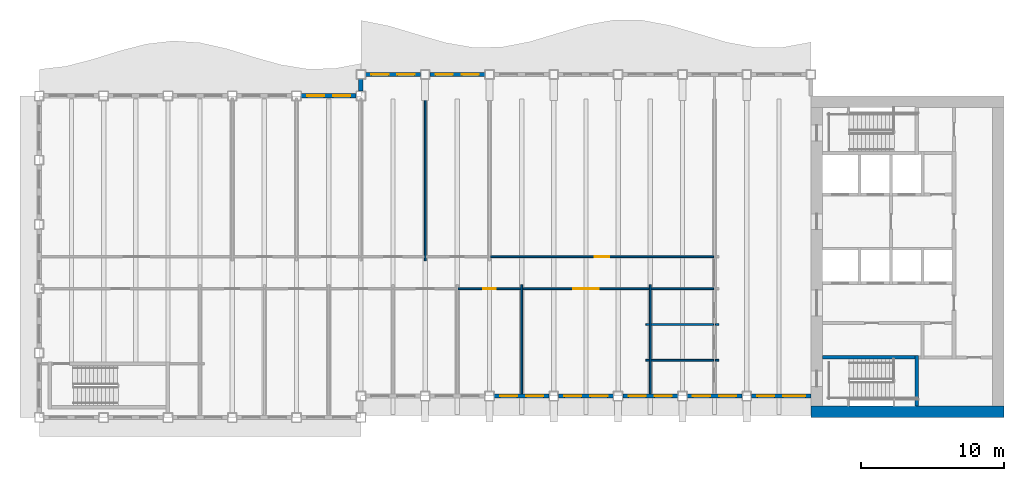
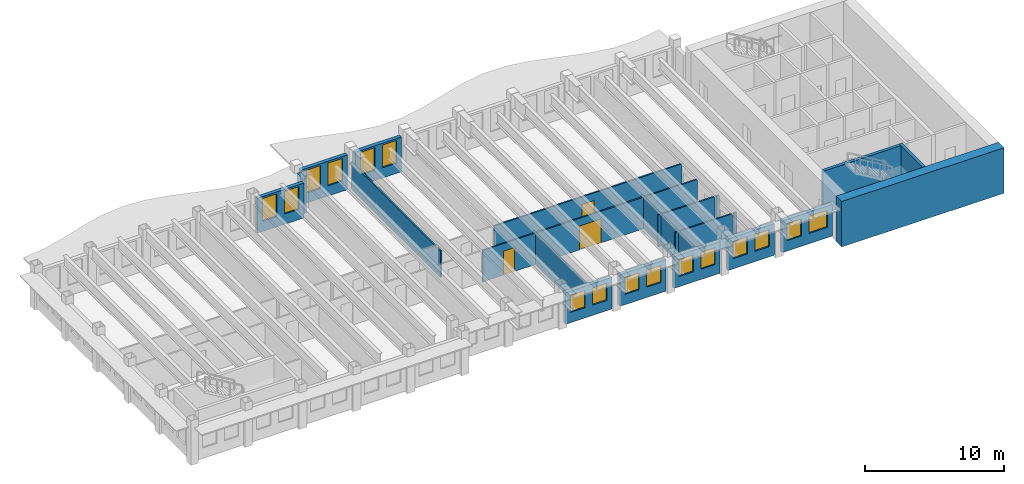
# One storey, part 4 of 12: 25 walls, 16 windows, 3 doors, 19 openings.
"""IFC4 building model written with IfcOpenShell, lengths in metres."""

from ifc_helpers import new_model, si_unit, direction, frame, frame_2d, origin, place, context, subcontext, project, spatial, rectangle, extrude, material, layer, layer_set, type_object, element, fill, save


model = new_model("IFC4")

# Units and contexts
model_context = context("Model", 3, precision=1e-05, world=origin(), true_north=direction((0.0, 1.0)))
body_context = subcontext(model_context, "Body", "Model", "MODEL_VIEW")
ifc_project = project(units=[si_unit("LENGTHUNIT", "METRE"), si_unit("AREAUNIT", "SQUARE_METRE"), si_unit("VOLUMEUNIT", "CUBIC_METRE"), si_unit("PLANEANGLEUNIT", "RADIAN"), si_unit("MASSUNIT", "GRAM", prefix="KILO")], contexts=[model_context])

# Site, building, storey
site_placement = place(None, origin())
site = spatial("IfcSite", under=ifc_project, at=site_placement, CompositionType="ELEMENT")
building_placement = place(site_placement, origin())
building = spatial("IfcBuilding", under=site, at=building_placement, Name="Sennacour Bend Tower", CompositionType="ELEMENT")
storey_placement = place(building_placement, frame((0.0, 0.0, 293.0)))
storey = spatial("IfcBuildingStorey", under=building, at=storey_placement, Name="L68", CompositionType="ELEMENT", Elevation=293.0)

# Walls
ifc_material_1 = material(Name="Concrete C50/60", Category="concrete")
ifc_layer_1 = layer(ifc_material_1, 0.800048828125, Name="Concrete C50/60", Category="concrete")
ifc_layer_set_1 = layer_set([ifc_layer_1], Name="Concrete C50/60")
wall_type_1 = type_object("IfcWallType", Name="Core wall 800 C50/60", PredefinedType="SHEAR", material=ifc_layer_set_1)
wall_1_placement = place(storey_placement, frame((67.5, 0.39990234375, -0.14990234375), z_axis=(0.0, 0.0, 1.0), x_axis=(-1.0, 0.0, 0.0)))
element("IfcWall", 1, at=wall_1_placement, inside=storey, type_object=wall_type_1, Name="Core A wall L68 S", PredefinedType="SHEAR", context=body_context, shape_type="SweptSolid", body=[
    extrude(rectangle(XDim=13.5, YDim=0.800048828125, at=frame_2d((6.75, 0.0))), origin(), (0.0, 0.0, 1.0), 4.0),
])
ifc_material_2 = material(Name="Plasterboard partition on steel studs", Category="steel")
ifc_layer_2 = layer(ifc_material_2, 0.1201171875, Name="Plasterboard partition on steel studs", Category="steel")
ifc_layer_set_2 = layer_set([ifc_layer_2], Name="Plasterboard partition on steel studs")
wall_type_2 = type_object("IfcWallType", Name="Partition 120", PredefinedType="PARTITIONING", material=ifc_layer_set_2)
wall_2_placement = place(storey_placement, frame((27.0, 10.949951171875, 0.0), z_axis=(0.0, 0.0, 1.0), x_axis=(0.0, 1.0, 0.0)))
element("IfcWall", 2, at=wall_2_placement, inside=storey, type_object=wall_type_2, Name="P-L68-W011a", PredefinedType="PARTITIONING", context=body_context, shape_type="SweptSolid", body=[
    extrude(rectangle(XDim=12.900146484375, YDim=0.1201171875, at=frame_2d((6.4501953125, 0.0))), origin(), (0.0, 0.0, 1.0), 2.35009765625),
])
for number, where, z_axis, x_axis, name in (
    (3, (33.75, 1.64990234375, 0.0), (0.0, 0.0, 1.0), (0.0, 1.0, 0.0), "P-L68-W014a"),
    (4, (42.75, 1.64990234375, 0.0), (0.0, 0.0, 1.0), (0.0, 1.0, 0.0), "P-L68-W015a"),
):
    element("IfcWall", number, at=place(storey_placement, frame(where, z_axis=z_axis, x_axis=x_axis)), inside=storey, type_object=wall_type_2, Name=name, PredefinedType="PARTITIONING", context=body_context, shape_type="SweptSolid", body=[
        extrude(rectangle(XDim=7.650146484375, YDim=0.1201171875, at=frame_2d((3.8251953125, 0.0))), origin(), (0.0, 0.0, 1.0), 2.77001953125),
    ])
wall_3_placement = place(storey_placement, frame((42.449951171875, 4.0, 0.0), z_axis=(0.0, 0.0, 1.0), x_axis=(1.0, 0.0, 0.0)))
element("IfcWall", 5, at=wall_3_placement, inside=storey, type_object=wall_type_2, Name="P-L68-W036aa", PredefinedType="PARTITIONING", context=body_context, shape_type="SweptSolid", body=[
    extrude(rectangle(XDim=0.239990234375, YDim=0.1201171875, at=frame_2d((0.1201171875, 0.0))), origin(), (0.0, 0.0, 1.0), 2.77001953125),
])
wall_4_placement = place(storey_placement, frame((42.81005859375, 4.0, 0.0), z_axis=(0.0, 0.0, 1.0), x_axis=(1.0, 0.0, 0.0)))
element("IfcWall", 6, at=wall_4_placement, inside=storey, type_object=wall_type_2, Name="P-L68-W036ab", PredefinedType="PARTITIONING", context=body_context, shape_type="SweptSolid", body=[
    extrude(rectangle(XDim=4.3798828125, YDim=0.1201171875, at=frame_2d((2.18994140625, 0.0))), origin(), (0.0, 0.0, 1.0), 2.77001953125),
])
for number, where, z_axis, x_axis, name in (
    (7, (47.31005859375, 4.0, 0.0), (0.0, 0.0, 1.0), (1.0, 0.0, 0.0), "P-L68-W036ac"),
    (8, (42.449951171875, 6.5, 0.0), (0.0, 0.0, 1.0), (1.0, 0.0, 0.0), "P-L68-W039aa"),
):
    element("IfcWall", number, at=place(storey_placement, frame(where, z_axis=z_axis, x_axis=x_axis)), inside=storey, type_object=wall_type_2, Name=name, PredefinedType="PARTITIONING", context=body_context, shape_type="SweptSolid", body=[
        extrude(rectangle(XDim=0.239990234375, YDim=0.1201171875, at=frame_2d((0.1201171875, 0.0))), origin(), (0.0, 0.0, 1.0), 2.77001953125),
    ])
wall_5_placement = place(storey_placement, frame((42.81005859375, 6.5, 0.0), z_axis=(0.0, 0.0, 1.0), x_axis=(1.0, 0.0, 0.0)))
element("IfcWall", 9, at=wall_5_placement, inside=storey, type_object=wall_type_2, Name="P-L68-W039ab", PredefinedType="PARTITIONING", context=body_context, shape_type="SweptSolid", body=[
    extrude(rectangle(XDim=4.3798828125, YDim=0.1201171875, at=frame_2d((2.18994140625, 0.0))), origin(), (0.0, 0.0, 1.0), 2.77001953125),
])
wall_6_placement = place(storey_placement, frame((47.31005859375, 6.5, 0.0), z_axis=(0.0, 0.0, 1.0), x_axis=(1.0, 0.0, 0.0)))
element("IfcWall", 10, at=wall_6_placement, inside=storey, type_object=wall_type_2, Name="P-L68-W039ac", PredefinedType="PARTITIONING", context=body_context, shape_type="SweptSolid", body=[
    extrude(rectangle(XDim=0.239990234375, YDim=0.1201171875, at=frame_2d((0.1201171875, 0.0))), origin(), (0.0, 0.0, 1.0), 2.77001953125),
])

# Wall, opening, door
wall_7_placement = place(storey_placement, frame((33.81005859375, 9.0, 0.0), z_axis=(0.0, 0.0, 1.0), x_axis=(1.0, 0.0, 0.0)))
wall_7 = element("IfcWall", 11, at=wall_7_placement, inside=storey, type_object=wall_type_2, Name="P-L68-W041ag", PredefinedType="PARTITIONING", context=body_context, shape_type="SweptSolid", body=[
    extrude(rectangle(XDim=8.8798828125, YDim=0.1201171875, at=frame_2d((4.43994140625, 0.0))), origin(), (0.0, 0.0, 1.0), 2.77001953125),
])
opening_1_placement = place(wall_7_placement, frame((3.539794921875, 0.0, 0.0)))
opening_1 = element("IfcOpeningElement", 12, at=opening_1_placement, cuts=wall_7, Name="Opening OD3", PredefinedType="OPENING", context=body_context, shape_type="SweptSolid", body=[
    extrude(rectangle(XDim=1.800048828125, YDim=2.10009765625, at=frame_2d((0.89990234375, 1.050048828125))), frame((0.0, 0.070068359375, 0.0), z_axis=(0.0, -1.0, 0.0), x_axis=(1.0, 0.0, 0.0)), (0.0, 0.0, 1.0), 0.14013671875),
])
ifc_material_3 = material(Name="Timber", Category="wood")
door_type_1 = type_object("IfcDoorType", Name="DR-OFFICE-1800", OperationType="NOTDEFINED", PredefinedType="DOOR", material=ifc_material_3)
door_1_placement = place(opening_1_placement, origin())
door_1 = element("IfcDoor", 13, at=door_1_placement, inside=storey, type_object=door_type_1, Name="Door", OperationType="DOUBLE_DOOR_SINGLE_SWING", OverallHeight=2.10009765625, OverallWidth=1.800048828125, PredefinedType="DOOR", context=body_context, shape_type="SweptSolid", body=[
    extrude(rectangle(XDim=1.800048828125, YDim=2.10009765625, at=frame_2d((0.89990234375, 1.050048828125))), frame((0.0, 0.02490234375, 0.0), z_axis=(0.0, -1.0, 0.0), x_axis=(1.0, 0.0, 0.0)), (0.0, 0.0, 1.0), 0.050048828125),
])
fill(opening_1, door_1)

# Wall
wall_8_placement = place(storey_placement, frame((42.81005859375, 9.0, 0.0), z_axis=(0.0, 0.0, 1.0), x_axis=(1.0, 0.0, 0.0)))
element("IfcWall", 14, at=wall_8_placement, inside=storey, type_object=wall_type_2, Name="P-L68-W041ah", PredefinedType="PARTITIONING", context=body_context, shape_type="SweptSolid", body=[
    extrude(rectangle(XDim=4.3798828125, YDim=0.1201171875, at=frame_2d((2.18994140625, 0.0))), origin(), (0.0, 0.0, 1.0), 2.77001953125),
])

# Wall, opening, door
wall_9_placement = place(storey_placement, frame((31.56005859375, 11.25, 0.0), z_axis=(0.0, 0.0, 1.0), x_axis=(1.0, 0.0, 0.0)))
wall_9 = element("IfcWall", 15, at=wall_9_placement, inside=storey, type_object=wall_type_2, Name="P-L68-W043af", PredefinedType="PARTITIONING", context=body_context, shape_type="SweptSolid", body=[
    extrude(rectangle(XDim=15.6298828125, YDim=0.1201171875, at=frame_2d((7.81494140625, 0.0))), origin(), (0.0, 0.0, 1.0), 2.77001953125),
])
opening_2_placement = place(wall_9_placement, frame((7.31494140625, 0.0, 0.0)))
opening_2 = element("IfcOpeningElement", 16, at=opening_2_placement, cuts=wall_9, Name="Opening OD2", PredefinedType="OPENING", context=body_context, shape_type="SweptSolid", body=[
    extrude(rectangle(XDim=1.0, YDim=2.10009765625, at=frame_2d((0.5, 1.050048828125))), frame((0.0, 0.070068359375, 0.0), z_axis=(0.0, -1.0, 0.0), x_axis=(1.0, 0.0, 0.0)), (0.0, 0.0, 1.0), 0.14013671875),
])
door_type_2 = type_object("IfcDoorType", Name="DR-OFFICE-1000", OperationType="NOTDEFINED", PredefinedType="DOOR", material=ifc_material_3)
door_2_placement = place(opening_2_placement, origin())
door_2 = element("IfcDoor", 17, at=door_2_placement, inside=storey, type_object=door_type_2, Name="Door", OperationType="SINGLE_SWING_LEFT", OverallHeight=2.10009765625, OverallWidth=1.0, PredefinedType="DOOR", context=body_context, shape_type="SweptSolid", body=[
    extrude(rectangle(XDim=1.0, YDim=2.10009765625, at=frame_2d((0.5, 1.050048828125))), frame((0.0, 0.02490234375, 0.0), z_axis=(0.0, -1.0, 0.0), x_axis=(1.0, 0.0, 0.0)), (0.0, 0.0, 1.0), 0.050048828125),
])
fill(opening_2, door_2)

ifc_layer_3 = layer(ifc_material_2, 0.1201171875, Name="Plasterboard partition on steel studs", Category="steel")
ifc_layer_set_3 = layer_set([ifc_layer_3], Name="Plasterboard partition on steel studs")
wall_type_3 = type_object("IfcWallType", Name="Partition 120 EI 60", PredefinedType="PARTITIONING", material=ifc_layer_set_3)
wall_10_placement = place(storey_placement, frame((29.31005859375, 9.0, 0.0), z_axis=(0.0, 0.0, 1.0), x_axis=(1.0, 0.0, 0.0)))
wall_10 = element("IfcWall", 18, at=wall_10_placement, inside=storey, type_object=wall_type_3, Name="P-L68-W041af", PredefinedType="PARTITIONING", context=body_context, shape_type="SweptSolid", body=[
    extrude(rectangle(XDim=4.3798828125, YDim=0.1201171875, at=frame_2d((2.18994140625, 0.0))), origin(), (0.0, 0.0, 1.0), 2.77001953125),
])
opening_3_placement = place(wall_10_placement, frame((1.739990234375, 0.0, 0.0)))
opening_3 = element("IfcOpeningElement", 19, at=opening_3_placement, cuts=wall_10, Name="Opening SV", PredefinedType="OPENING", context=body_context, shape_type="SweptSolid", body=[
    extrude(rectangle(XDim=0.89990234375, YDim=2.10009765625, at=frame_2d((0.449951171875, 1.050048828125))), frame((0.0, 0.070068359375, 0.0), z_axis=(0.0, -1.0, 0.0), x_axis=(1.0, 0.0, 0.0)), (0.0, 0.0, 1.0), 0.14013671875),
])
ifc_material_4 = material(Name="Painted steel", Category="steel")
door_type_3 = type_object("IfcDoorType", Name="DR-SERVICE-900", OperationType="NOTDEFINED", PredefinedType="DOOR", material=ifc_material_4)
door_3_placement = place(opening_3_placement, origin())
door_3 = element("IfcDoor", 20, at=door_3_placement, inside=storey, type_object=door_type_3, Name="Door", OperationType="SINGLE_SWING_LEFT", OverallHeight=2.10009765625, OverallWidth=0.89990234375, PredefinedType="DOOR", context=body_context, shape_type="SweptSolid", body=[
    extrude(rectangle(XDim=0.89990234375, YDim=2.10009765625, at=frame_2d((0.449951171875, 1.050048828125))), frame((0.0, 0.02490234375, 0.0), z_axis=(0.0, -1.0, 0.0), x_axis=(1.0, 0.0, 0.0)), (0.0, 0.0, 1.0), 0.050048828125),
])
fill(opening_3, door_3)

# Wall, openings, windows
ifc_material_5 = material(Name="Warm limestone cladding", Category="masonry")
ifc_layer_4 = layer(ifc_material_5, 0.050048828125, Name="Warm limestone cladding", Category="masonry")
ifc_material_6 = material(Name="Precast concrete C40/50", Category="concrete")
ifc_layer_5 = layer(ifc_material_6, 0.25, Name="Precast concrete C40/50", Category="concrete")
ifc_layer_set_4 = layer_set([ifc_layer_4, ifc_layer_5], Name="Precast concrete C40/50 with limestone cladding")
wall_type_4 = type_object("IfcWallType", Name="STONE-CLAD PRECAST SPANDREL 300", PredefinedType="STANDARD", material=ifc_layer_set_4)
wall_11_placement = place(storey_placement, frame((31.824951171875, 1.5, 0.0), z_axis=(0.0, 0.0, 1.0), x_axis=(1.0, 0.0, 0.0)))
wall_11 = element("IfcWall", 21, at=wall_11_placement, inside=storey, type_object=wall_type_4, Name="Stone spandrel and pier wall L68 01.02", PredefinedType="STANDARD", context=body_context, shape_type="SweptSolid", body=[
    extrude(rectangle(XDim=3.85009765625, YDim=0.300048828125, at=frame_2d((1.925048828125, 0.0))), origin(), (0.0, 0.0, 1.0), 2.77001953125),
])
opening_4_placement = place(wall_11_placement, frame((0.41259765625, 0.0, 0.89990234375)))
opening_4 = element("IfcOpeningElement", 22, at=opening_4_placement, cuts=wall_11, Name="Opening W25", PredefinedType="OPENING", context=body_context, shape_type="SweptSolid", body=[
    extrude(rectangle(XDim=1.199951171875, YDim=1.5, at=frame_2d((0.60009765625, 0.75))), frame((0.0, 0.16015625, 0.0), z_axis=(0.0, -1.0, 0.0), x_axis=(1.0, 0.0, 0.0)), (0.0, 0.0, 1.0), 0.320068359375),
])
opening_5_placement = place(wall_11_placement, frame((2.237548828125, 0.0, 0.89990234375)))
opening_5 = element("IfcOpeningElement", 23, at=opening_5_placement, cuts=wall_11, Name="Opening W25", PredefinedType="OPENING", context=body_context, shape_type="SweptSolid", body=[
    extrude(rectangle(XDim=1.199951171875, YDim=1.5, at=frame_2d((0.60009765625, 0.75))), frame((0.0, 0.16015625, 0.0), z_axis=(0.0, -1.0, 0.0), x_axis=(1.0, 0.0, 0.0)), (0.0, 0.0, 1.0), 0.320068359375),
])
ifc_material_7 = material(Name="Clear low-emissivity glass", Category="glass")
window_type_1 = type_object("IfcWindowType", Name="WIN-RIBBON-1200x1500", PartitioningType="SINGLE_PANEL", PredefinedType="WINDOW", material=ifc_material_7)
window_1_placement = place(opening_4_placement, origin())
window_1 = element("IfcWindow", 24, at=window_1_placement, inside=storey, type_object=window_type_1, Name="Ribbon window L68 01.02.0", OverallHeight=1.5, OverallWidth=1.199951171875, PartitioningType="SINGLE_PANEL", PredefinedType="WINDOW", context=body_context, shape_type="SweptSolid", body=[
    extrude(rectangle(XDim=1.199951171875, YDim=1.5, at=frame_2d((0.60009765625, 0.75))), frame((0.0, 0.030029296875, 0.0), z_axis=(0.0, -1.0, 0.0), x_axis=(1.0, 0.0, 0.0)), (0.0, 0.0, 1.0), 0.06005859375),
])
fill(opening_4, window_1)
window_2_placement = place(opening_5_placement, origin())
window_2 = element("IfcWindow", 25, at=window_2_placement, inside=storey, type_object=window_type_1, Name="Ribbon window L68 01.02.1", OverallHeight=1.5, OverallWidth=1.199951171875, PartitioningType="SINGLE_PANEL", PredefinedType="WINDOW", context=body_context, shape_type="SweptSolid", body=[
    extrude(rectangle(XDim=1.199951171875, YDim=1.5, at=frame_2d((0.60009765625, 0.75))), frame((0.0, 0.030029296875, 0.0), z_axis=(0.0, -1.0, 0.0), x_axis=(1.0, 0.0, 0.0)), (0.0, 0.0, 1.0), 0.06005859375),
])
fill(opening_5, window_2)

wall_12_placement = place(storey_placement, frame((36.324951171875, 1.5, 0.0), z_axis=(0.0, 0.0, 1.0), x_axis=(1.0, 0.0, 0.0)))
wall_12 = element("IfcWall", 26, at=wall_12_placement, inside=storey, type_object=wall_type_4, Name="Stone spandrel and pier wall L68 01.03", PredefinedType="STANDARD", context=body_context, shape_type="SweptSolid", body=[
    extrude(rectangle(XDim=3.85009765625, YDim=0.300048828125, at=frame_2d((1.925048828125, 0.0))), origin(), (0.0, 0.0, 1.0), 2.77001953125),
])
opening_6_placement = place(wall_12_placement, frame((0.41259765625, 0.0, 0.89990234375)))
opening_6 = element("IfcOpeningElement", 27, at=opening_6_placement, cuts=wall_12, Name="Opening W25", PredefinedType="OPENING", context=body_context, shape_type="SweptSolid", body=[
    extrude(rectangle(XDim=1.199951171875, YDim=1.5, at=frame_2d((0.60009765625, 0.75))), frame((0.0, 0.16015625, 0.0), z_axis=(0.0, -1.0, 0.0), x_axis=(1.0, 0.0, 0.0)), (0.0, 0.0, 1.0), 0.320068359375),
])
opening_7_placement = place(wall_12_placement, frame((2.237548828125, 0.0, 0.89990234375)))
opening_7 = element("IfcOpeningElement", 28, at=opening_7_placement, cuts=wall_12, Name="Opening W25", PredefinedType="OPENING", context=body_context, shape_type="SweptSolid", body=[
    extrude(rectangle(XDim=1.199951171875, YDim=1.5, at=frame_2d((0.60009765625, 0.75))), frame((0.0, 0.16015625, 0.0), z_axis=(0.0, -1.0, 0.0), x_axis=(1.0, 0.0, 0.0)), (0.0, 0.0, 1.0), 0.320068359375),
])
window_3_placement = place(opening_6_placement, origin())
window_3 = element("IfcWindow", 29, at=window_3_placement, inside=storey, type_object=window_type_1, Name="Ribbon window L68 01.03.0", OverallHeight=1.5, OverallWidth=1.199951171875, PartitioningType="SINGLE_PANEL", PredefinedType="WINDOW", context=body_context, shape_type="SweptSolid", body=[
    extrude(rectangle(XDim=1.199951171875, YDim=1.5, at=frame_2d((0.60009765625, 0.75))), frame((0.0, 0.030029296875, 0.0), z_axis=(0.0, -1.0, 0.0), x_axis=(1.0, 0.0, 0.0)), (0.0, 0.0, 1.0), 0.06005859375),
])
fill(opening_6, window_3)
window_4_placement = place(opening_7_placement, origin())
window_4 = element("IfcWindow", 30, at=window_4_placement, inside=storey, type_object=window_type_1, Name="Ribbon window L68 01.03.1", OverallHeight=1.5, OverallWidth=1.199951171875, PartitioningType="SINGLE_PANEL", PredefinedType="WINDOW", context=body_context, shape_type="SweptSolid", body=[
    extrude(rectangle(XDim=1.199951171875, YDim=1.5, at=frame_2d((0.60009765625, 0.75))), frame((0.0, 0.030029296875, 0.0), z_axis=(0.0, -1.0, 0.0), x_axis=(1.0, 0.0, 0.0)), (0.0, 0.0, 1.0), 0.06005859375),
])
fill(opening_7, window_4)

wall_13_placement = place(storey_placement, frame((40.824951171875, 1.5, 0.0), z_axis=(0.0, 0.0, 1.0), x_axis=(1.0, 0.0, 0.0)))
wall_13 = element("IfcWall", 31, at=wall_13_placement, inside=storey, type_object=wall_type_4, Name="Stone spandrel and pier wall L68 01.04", PredefinedType="STANDARD", context=body_context, shape_type="SweptSolid", body=[
    extrude(rectangle(XDim=3.85009765625, YDim=0.300048828125, at=frame_2d((1.925048828125, 0.0))), origin(), (0.0, 0.0, 1.0), 2.77001953125),
])
opening_8_placement = place(wall_13_placement, frame((0.41259765625, 0.0, 0.89990234375)))
opening_8 = element("IfcOpeningElement", 32, at=opening_8_placement, cuts=wall_13, Name="Opening W25", PredefinedType="OPENING", context=body_context, shape_type="SweptSolid", body=[
    extrude(rectangle(XDim=1.199951171875, YDim=1.5, at=frame_2d((0.60009765625, 0.75))), frame((0.0, 0.16015625, 0.0), z_axis=(0.0, -1.0, 0.0), x_axis=(1.0, 0.0, 0.0)), (0.0, 0.0, 1.0), 0.320068359375),
])
opening_9_placement = place(wall_13_placement, frame((2.237548828125, 0.0, 0.89990234375)))
opening_9 = element("IfcOpeningElement", 33, at=opening_9_placement, cuts=wall_13, Name="Opening W25", PredefinedType="OPENING", context=body_context, shape_type="SweptSolid", body=[
    extrude(rectangle(XDim=1.199951171875, YDim=1.5, at=frame_2d((0.60009765625, 0.75))), frame((0.0, 0.16015625, 0.0), z_axis=(0.0, -1.0, 0.0), x_axis=(1.0, 0.0, 0.0)), (0.0, 0.0, 1.0), 0.320068359375),
])
window_5_placement = place(opening_8_placement, origin())
window_5 = element("IfcWindow", 34, at=window_5_placement, inside=storey, type_object=window_type_1, Name="Ribbon window L68 01.04.0", OverallHeight=1.5, OverallWidth=1.199951171875, PartitioningType="SINGLE_PANEL", PredefinedType="WINDOW", context=body_context, shape_type="SweptSolid", body=[
    extrude(rectangle(XDim=1.199951171875, YDim=1.5, at=frame_2d((0.60009765625, 0.75))), frame((0.0, 0.030029296875, 0.0), z_axis=(0.0, -1.0, 0.0), x_axis=(1.0, 0.0, 0.0)), (0.0, 0.0, 1.0), 0.06005859375),
])
fill(opening_8, window_5)
window_6_placement = place(opening_9_placement, origin())
window_6 = element("IfcWindow", 35, at=window_6_placement, inside=storey, type_object=window_type_1, Name="Ribbon window L68 01.04.1", OverallHeight=1.5, OverallWidth=1.199951171875, PartitioningType="SINGLE_PANEL", PredefinedType="WINDOW", context=body_context, shape_type="SweptSolid", body=[
    extrude(rectangle(XDim=1.199951171875, YDim=1.5, at=frame_2d((0.60009765625, 0.75))), frame((0.0, 0.030029296875, 0.0), z_axis=(0.0, -1.0, 0.0), x_axis=(1.0, 0.0, 0.0)), (0.0, 0.0, 1.0), 0.06005859375),
])
fill(opening_9, window_6)

wall_14_placement = place(storey_placement, frame((45.324951171875, 1.5, 0.0), z_axis=(0.0, 0.0, 1.0), x_axis=(1.0, 0.0, 0.0)))
wall_14 = element("IfcWall", 36, at=wall_14_placement, inside=storey, type_object=wall_type_4, Name="Stone spandrel and pier wall L68 01.05", PredefinedType="STANDARD", context=body_context, shape_type="SweptSolid", body=[
    extrude(rectangle(XDim=3.85009765625, YDim=0.300048828125, at=frame_2d((1.925048828125, 0.0))), origin(), (0.0, 0.0, 1.0), 2.77001953125),
])
opening_10_placement = place(wall_14_placement, frame((0.41259765625, 0.0, 0.89990234375)))
opening_10 = element("IfcOpeningElement", 37, at=opening_10_placement, cuts=wall_14, Name="Opening W25", PredefinedType="OPENING", context=body_context, shape_type="SweptSolid", body=[
    extrude(rectangle(XDim=1.199951171875, YDim=1.5, at=frame_2d((0.60009765625, 0.75))), frame((0.0, 0.16015625, 0.0), z_axis=(0.0, -1.0, 0.0), x_axis=(1.0, 0.0, 0.0)), (0.0, 0.0, 1.0), 0.320068359375),
])
opening_11_placement = place(wall_14_placement, frame((2.237548828125, 0.0, 0.89990234375)))
opening_11 = element("IfcOpeningElement", 38, at=opening_11_placement, cuts=wall_14, Name="Opening W25", PredefinedType="OPENING", context=body_context, shape_type="SweptSolid", body=[
    extrude(rectangle(XDim=1.199951171875, YDim=1.5, at=frame_2d((0.60009765625, 0.75))), frame((0.0, 0.16015625, 0.0), z_axis=(0.0, -1.0, 0.0), x_axis=(1.0, 0.0, 0.0)), (0.0, 0.0, 1.0), 0.320068359375),
])
window_7_placement = place(opening_10_placement, origin())
window_7 = element("IfcWindow", 39, at=window_7_placement, inside=storey, type_object=window_type_1, Name="Ribbon window L68 01.05.0", OverallHeight=1.5, OverallWidth=1.199951171875, PartitioningType="SINGLE_PANEL", PredefinedType="WINDOW", context=body_context, shape_type="SweptSolid", body=[
    extrude(rectangle(XDim=1.199951171875, YDim=1.5, at=frame_2d((0.60009765625, 0.75))), frame((0.0, 0.030029296875, 0.0), z_axis=(0.0, -1.0, 0.0), x_axis=(1.0, 0.0, 0.0)), (0.0, 0.0, 1.0), 0.06005859375),
])
fill(opening_10, window_7)
window_8_placement = place(opening_11_placement, origin())
window_8 = element("IfcWindow", 40, at=window_8_placement, inside=storey, type_object=window_type_1, Name="Ribbon window L68 01.05.1", OverallHeight=1.5, OverallWidth=1.199951171875, PartitioningType="SINGLE_PANEL", PredefinedType="WINDOW", context=body_context, shape_type="SweptSolid", body=[
    extrude(rectangle(XDim=1.199951171875, YDim=1.5, at=frame_2d((0.60009765625, 0.75))), frame((0.0, 0.030029296875, 0.0), z_axis=(0.0, -1.0, 0.0), x_axis=(1.0, 0.0, 0.0)), (0.0, 0.0, 1.0), 0.06005859375),
])
fill(opening_11, window_8)

wall_15_placement = place(storey_placement, frame((49.824951171875, 1.5, 0.0), z_axis=(0.0, 0.0, 1.0), x_axis=(1.0, 0.0, 0.0)))
wall_15 = element("IfcWall", 41, at=wall_15_placement, inside=storey, type_object=wall_type_4, Name="Stone spandrel and pier wall L68 01.06", PredefinedType="STANDARD", context=body_context, shape_type="SweptSolid", body=[
    extrude(rectangle(XDim=4.175048828125, YDim=0.300048828125, at=frame_2d((2.08740234375, 0.0))), origin(), (0.0, 0.0, 1.0), 2.77001953125),
])
opening_12_placement = place(wall_15_placement, frame((0.41259765625, 0.0, 0.89990234375)))
opening_12 = element("IfcOpeningElement", 42, at=opening_12_placement, cuts=wall_15, Name="Opening W25", PredefinedType="OPENING", context=body_context, shape_type="SweptSolid", body=[
    extrude(rectangle(XDim=1.199951171875, YDim=1.5, at=frame_2d((0.60009765625, 0.75))), frame((0.0, 0.16015625, 0.0), z_axis=(0.0, -1.0, 0.0), x_axis=(1.0, 0.0, 0.0)), (0.0, 0.0, 1.0), 0.320068359375),
])
opening_13_placement = place(wall_15_placement, frame((2.22509765625, 0.0, 0.89990234375)))
opening_13 = element("IfcOpeningElement", 43, at=opening_13_placement, cuts=wall_15, Name="Opening W21", PredefinedType="OPENING", context=body_context, shape_type="SweptSolid", body=[
    extrude(rectangle(XDim=1.550048828125, YDim=1.5, at=frame_2d((0.77490234375, 0.75))), frame((0.0, 0.16015625, 0.0), z_axis=(0.0, -1.0, 0.0), x_axis=(1.0, 0.0, 0.0)), (0.0, 0.0, 1.0), 0.320068359375),
])
window_9_placement = place(opening_12_placement, origin())
window_9 = element("IfcWindow", 44, at=window_9_placement, inside=storey, type_object=window_type_1, Name="Ribbon window L68 01.06.0", OverallHeight=1.5, OverallWidth=1.199951171875, PartitioningType="SINGLE_PANEL", PredefinedType="WINDOW", context=body_context, shape_type="SweptSolid", body=[
    extrude(rectangle(XDim=1.199951171875, YDim=1.5, at=frame_2d((0.60009765625, 0.75))), frame((0.0, 0.030029296875, 0.0), z_axis=(0.0, -1.0, 0.0), x_axis=(1.0, 0.0, 0.0)), (0.0, 0.0, 1.0), 0.06005859375),
])
fill(opening_12, window_9)
window_type_2 = type_object("IfcWindowType", Name="WIN-RIBBON-1550x1500", PartitioningType="SINGLE_PANEL", PredefinedType="WINDOW", material=ifc_material_7)
window_10_placement = place(opening_13_placement, origin())
window_10 = element("IfcWindow", 45, at=window_10_placement, inside=storey, type_object=window_type_2, Name="Ribbon window L68 01.06.1", OverallHeight=1.5, OverallWidth=1.550048828125, PartitioningType="SINGLE_PANEL", PredefinedType="WINDOW", context=body_context, shape_type="SweptSolid", body=[
    extrude(rectangle(XDim=1.550048828125, YDim=1.5, at=frame_2d((0.77490234375, 0.75))), frame((0.0, 0.030029296875, 0.0), z_axis=(0.0, -1.0, 0.0), x_axis=(1.0, 0.0, 0.0)), (0.0, 0.0, 1.0), 0.06005859375),
])
fill(opening_13, window_10)

wall_16_placement = place(storey_placement, frame((31.175048828125, 24.0, 0.0), z_axis=(0.0, 0.0, 1.0), x_axis=(-1.0, 0.0, 0.0)))
wall_16 = element("IfcWall", 46, at=wall_16_placement, inside=storey, type_object=wall_type_4, Name="Stone spandrel and pier wall L68 07.05", PredefinedType="STANDARD", context=body_context, shape_type="SweptSolid", body=[
    extrude(rectangle(XDim=3.85009765625, YDim=0.300048828125, at=frame_2d((1.925048828125, 0.0))), origin(), (0.0, 0.0, 1.0), 3.06201171875),
])
opening_14_placement = place(wall_16_placement, frame((0.41259765625, 0.0, 0.89990234375)))
opening_14 = element("IfcOpeningElement", 47, at=opening_14_placement, cuts=wall_16, Name="Opening W14", PredefinedType="OPENING", context=body_context, shape_type="SweptSolid", body=[
    extrude(rectangle(XDim=1.199951171875, YDim=2.0, at=frame_2d((0.60009765625, 1.0))), frame((0.0, 0.16015625, 0.0), z_axis=(0.0, -1.0, 0.0), x_axis=(1.0, 0.0, 0.0)), (0.0, 0.0, 1.0), 0.320068359375),
])
opening_15_placement = place(wall_16_placement, frame((2.237548828125, 0.0, 0.89990234375)))
opening_15 = element("IfcOpeningElement", 48, at=opening_15_placement, cuts=wall_16, Name="Opening W14", PredefinedType="OPENING", context=body_context, shape_type="SweptSolid", body=[
    extrude(rectangle(XDim=1.199951171875, YDim=2.0, at=frame_2d((0.60009765625, 1.0))), frame((0.0, 0.16015625, 0.0), z_axis=(0.0, -1.0, 0.0), x_axis=(1.0, 0.0, 0.0)), (0.0, 0.0, 1.0), 0.320068359375),
])
window_type_3 = type_object("IfcWindowType", Name="WIN-RIBBON-1200x2000", PartitioningType="SINGLE_PANEL", PredefinedType="WINDOW", material=ifc_material_7)
window_11_placement = place(opening_14_placement, origin())
window_11 = element("IfcWindow", 49, at=window_11_placement, inside=storey, type_object=window_type_3, Name="Ribbon window L68 07.05.0", OverallHeight=2.0, OverallWidth=1.199951171875, PartitioningType="SINGLE_PANEL", PredefinedType="WINDOW", context=body_context, shape_type="SweptSolid", body=[
    extrude(rectangle(XDim=1.199951171875, YDim=2.0, at=frame_2d((0.60009765625, 1.0))), frame((0.0, 0.030029296875, 0.0), z_axis=(0.0, -1.0, 0.0), x_axis=(1.0, 0.0, 0.0)), (0.0, 0.0, 1.0), 0.06005859375),
])
fill(opening_14, window_11)
window_12_placement = place(opening_15_placement, origin())
window_12 = element("IfcWindow", 50, at=window_12_placement, inside=storey, type_object=window_type_3, Name="Ribbon window L68 07.05.1", OverallHeight=2.0, OverallWidth=1.199951171875, PartitioningType="SINGLE_PANEL", PredefinedType="WINDOW", context=body_context, shape_type="SweptSolid", body=[
    extrude(rectangle(XDim=1.199951171875, YDim=2.0, at=frame_2d((0.60009765625, 1.0))), frame((0.0, 0.030029296875, 0.0), z_axis=(0.0, -1.0, 0.0), x_axis=(1.0, 0.0, 0.0)), (0.0, 0.0, 1.0), 0.06005859375),
])
fill(opening_15, window_12)

wall_17_placement = place(storey_placement, frame((26.675048828125, 24.0, 0.0), z_axis=(0.0, 0.0, 1.0), x_axis=(-1.0, 0.0, 0.0)))
wall_17 = element("IfcWall", 51, at=wall_17_placement, inside=storey, type_object=wall_type_4, Name="Stone spandrel and pier wall L68 07.06", PredefinedType="STANDARD", context=body_context, shape_type="SweptSolid", body=[
    extrude(rectangle(XDim=3.85009765625, YDim=0.300048828125, at=frame_2d((1.925048828125, 0.0))), origin(), (0.0, 0.0, 1.0), 3.06201171875),
])
opening_16_placement = place(wall_17_placement, frame((0.41259765625, 0.0, 0.89990234375)))
opening_16 = element("IfcOpeningElement", 52, at=opening_16_placement, cuts=wall_17, Name="Opening W14", PredefinedType="OPENING", context=body_context, shape_type="SweptSolid", body=[
    extrude(rectangle(XDim=1.199951171875, YDim=2.0, at=frame_2d((0.60009765625, 1.0))), frame((0.0, 0.16015625, 0.0), z_axis=(0.0, -1.0, 0.0), x_axis=(1.0, 0.0, 0.0)), (0.0, 0.0, 1.0), 0.320068359375),
])
opening_17_placement = place(wall_17_placement, frame((2.237548828125, 0.0, 0.89990234375)))
opening_17 = element("IfcOpeningElement", 53, at=opening_17_placement, cuts=wall_17, Name="Opening W14", PredefinedType="OPENING", context=body_context, shape_type="SweptSolid", body=[
    extrude(rectangle(XDim=1.199951171875, YDim=2.0, at=frame_2d((0.60009765625, 1.0))), frame((0.0, 0.16015625, 0.0), z_axis=(0.0, -1.0, 0.0), x_axis=(1.0, 0.0, 0.0)), (0.0, 0.0, 1.0), 0.320068359375),
])
window_13_placement = place(opening_16_placement, origin())
window_13 = element("IfcWindow", 54, at=window_13_placement, inside=storey, type_object=window_type_3, Name="Ribbon window L68 07.06.0", OverallHeight=2.0, OverallWidth=1.199951171875, PartitioningType="SINGLE_PANEL", PredefinedType="WINDOW", context=body_context, shape_type="SweptSolid", body=[
    extrude(rectangle(XDim=1.199951171875, YDim=2.0, at=frame_2d((0.60009765625, 1.0))), frame((0.0, 0.030029296875, 0.0), z_axis=(0.0, -1.0, 0.0), x_axis=(1.0, 0.0, 0.0)), (0.0, 0.0, 1.0), 0.06005859375),
])
fill(opening_16, window_13)
window_14_placement = place(opening_17_placement, origin())
window_14 = element("IfcWindow", 55, at=window_14_placement, inside=storey, type_object=window_type_3, Name="Ribbon window L68 07.06.1", OverallHeight=2.0, OverallWidth=1.199951171875, PartitioningType="SINGLE_PANEL", PredefinedType="WINDOW", context=body_context, shape_type="SweptSolid", body=[
    extrude(rectangle(XDim=1.199951171875, YDim=2.0, at=frame_2d((0.60009765625, 1.0))), frame((0.0, 0.030029296875, 0.0), z_axis=(0.0, -1.0, 0.0), x_axis=(1.0, 0.0, 0.0)), (0.0, 0.0, 1.0), 0.06005859375),
])
fill(opening_17, window_14)

# Wall
wall_18_placement = place(storey_placement, frame((22.5, 23.675048828125, 0.0), z_axis=(0.0, 0.0, 1.0), x_axis=(0.0, -1.0, 0.0)))
element("IfcWall", 56, at=wall_18_placement, inside=storey, type_object=wall_type_4, Name="Stone spandrel and pier wall L68 08.00", PredefinedType="STANDARD", context=body_context, shape_type="SweptSolid", body=[
    extrude(rectangle(XDim=0.85009765625, YDim=0.300048828125, at=frame_2d((0.425048828125, 0.0))), origin(), (0.0, 0.0, 1.0), 3.06201171875),
])

# Wall, openings, windows
wall_19_placement = place(storey_placement, frame((22.175048828125, 22.5, 0.0), z_axis=(0.0, 0.0, 1.0), x_axis=(-1.0, 0.0, 0.0)))
wall_19 = element("IfcWall", 57, at=wall_19_placement, inside=storey, type_object=wall_type_4, Name="Stone spandrel and pier wall L68 09.00", PredefinedType="STANDARD", context=body_context, shape_type="SweptSolid", body=[
    extrude(rectangle(XDim=3.85009765625, YDim=0.300048828125, at=frame_2d((1.925048828125, 0.0))), origin(), (0.0, 0.0, 1.0), 3.06201171875),
])
opening_18_placement = place(wall_19_placement, frame((0.41259765625, 0.0, 0.89990234375)))
opening_18 = element("IfcOpeningElement", 58, at=opening_18_placement, cuts=wall_19, Name="Opening W14", PredefinedType="OPENING", context=body_context, shape_type="SweptSolid", body=[
    extrude(rectangle(XDim=1.199951171875, YDim=2.0, at=frame_2d((0.60009765625, 1.0))), frame((0.0, 0.16015625, 0.0), z_axis=(0.0, -1.0, 0.0), x_axis=(1.0, 0.0, 0.0)), (0.0, 0.0, 1.0), 0.320068359375),
])
opening_19_placement = place(wall_19_placement, frame((2.237548828125, 0.0, 0.89990234375)))
opening_19 = element("IfcOpeningElement", 59, at=opening_19_placement, cuts=wall_19, Name="Opening W14", PredefinedType="OPENING", context=body_context, shape_type="SweptSolid", body=[
    extrude(rectangle(XDim=1.199951171875, YDim=2.0, at=frame_2d((0.60009765625, 1.0))), frame((0.0, 0.16015625, 0.0), z_axis=(0.0, -1.0, 0.0), x_axis=(1.0, 0.0, 0.0)), (0.0, 0.0, 1.0), 0.320068359375),
])
window_15_placement = place(opening_18_placement, origin())
window_15 = element("IfcWindow", 60, at=window_15_placement, inside=storey, type_object=window_type_3, Name="Ribbon window L68 09.00.0", OverallHeight=2.0, OverallWidth=1.199951171875, PartitioningType="SINGLE_PANEL", PredefinedType="WINDOW", context=body_context, shape_type="SweptSolid", body=[
    extrude(rectangle(XDim=1.199951171875, YDim=2.0, at=frame_2d((0.60009765625, 1.0))), frame((0.0, 0.030029296875, 0.0), z_axis=(0.0, -1.0, 0.0), x_axis=(1.0, 0.0, 0.0)), (0.0, 0.0, 1.0), 0.06005859375),
])
fill(opening_18, window_15)
window_16_placement = place(opening_19_placement, origin())
window_16 = element("IfcWindow", 61, at=window_16_placement, inside=storey, type_object=window_type_3, Name="Ribbon window L68 09.00.1", OverallHeight=2.0, OverallWidth=1.199951171875, PartitioningType="SINGLE_PANEL", PredefinedType="WINDOW", context=body_context, shape_type="SweptSolid", body=[
    extrude(rectangle(XDim=1.199951171875, YDim=2.0, at=frame_2d((0.60009765625, 1.0))), frame((0.0, 0.030029296875, 0.0), z_axis=(0.0, -1.0, 0.0), x_axis=(1.0, 0.0, 0.0)), (0.0, 0.0, 1.0), 0.06005859375),
])
fill(opening_19, window_16)

# Walls
ifc_material_8 = material(Name="Concrete C60/75", Category="concrete")
ifc_layer_6 = layer(ifc_material_8, 0.25, Name="Concrete C60/75", Category="concrete")
ifc_layer_set_5 = layer_set([ifc_layer_6], Name="Concrete C60/75")
wall_type_5 = type_object("IfcWallType", Name="Stair wall 250", PredefinedType="SHEAR", material=ifc_layer_set_5)
wall_20_placement = place(storey_placement, frame((61.39990234375, 0.800048828125, 0.0), z_axis=(0.0, 0.0, 1.0), x_axis=(0.0, 1.0, 0.0)))
element("IfcWall", 62, at=wall_20_placement, inside=storey, type_object=wall_type_5, Name="P-L68-W023", PredefinedType="SHEAR", context=body_context, shape_type="SweptSolid", body=[
    extrude(rectangle(XDim=3.52490234375, YDim=0.25, at=frame_2d((1.762451171875, 0.0))), origin(), (0.0, 0.0, 1.0), 3.75),
])
wall_21_placement = place(storey_placement, frame((54.800048828125, 4.199951171875, 0.0), z_axis=(0.0, 0.0, 1.0), x_axis=(1.0, 0.0, 0.0)))
element("IfcWall", 63, at=wall_21_placement, inside=storey, type_object=wall_type_5, Name="P-L68-W037", PredefinedType="SHEAR", context=body_context, shape_type="SweptSolid", body=[
    extrude(rectangle(XDim=6.474853515625, YDim=0.25, at=frame_2d((3.2373046875, 0.0))), origin(), (0.0, 0.0, 1.0), 3.75),
])

save(model, "model.ifc")
